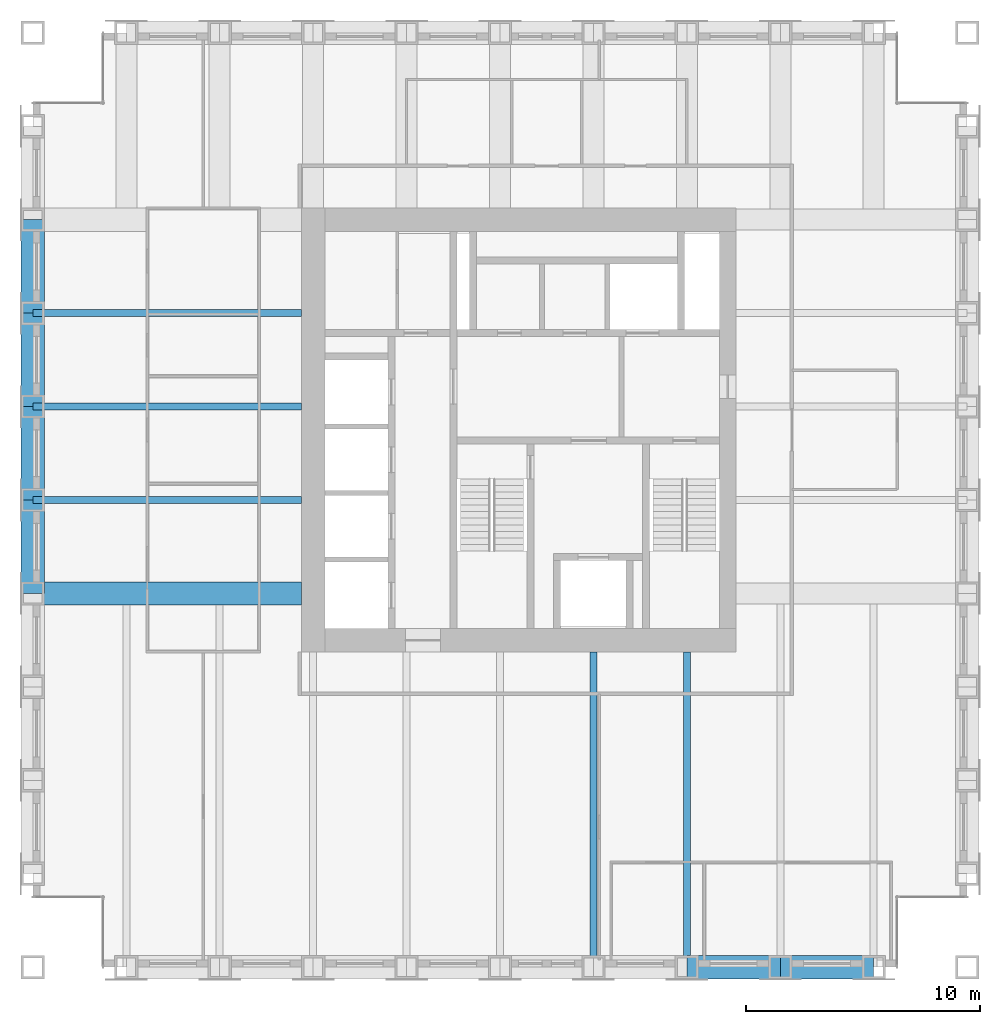
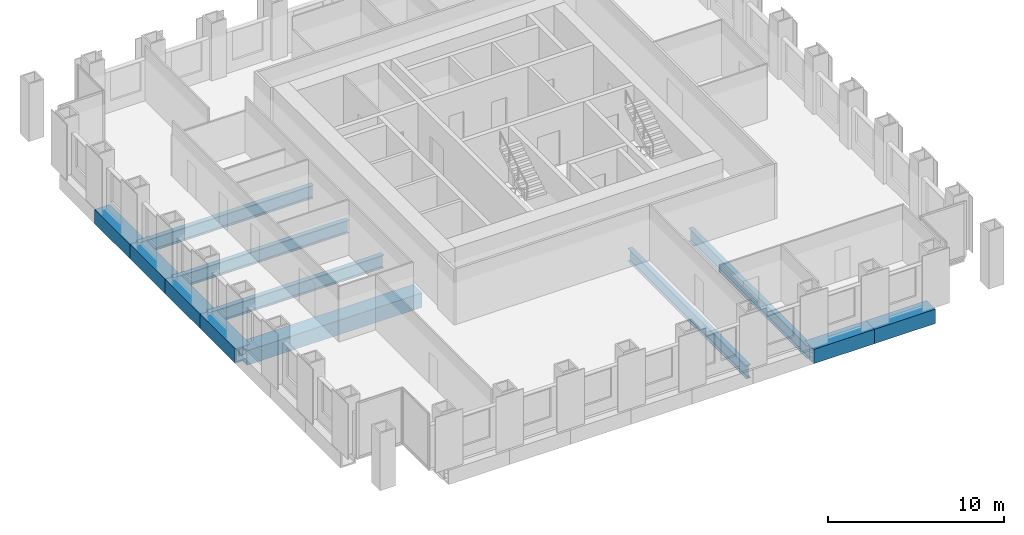
# One storey, part 3 of 11: 12 beams.
"""IFC4 building model written with IfcOpenShell, lengths in metres."""

import ifcopenshell
import ifcopenshell.guid

model = None  # the IFC model being written
_history = None  # IfcOwnerHistory: only IFC2X3 demands one
_inside = {}  # id of a spatial element -> (the spatial element, [elements in it])
_under = {}  # id of a project, library or spatial element -> (it, [spatial elements below it])
_declared = {}  # id of a project -> (the project, [libraries it declares])
_typed = {}  # id of a type object -> (the type object, [elements of that type])
_made_of = {}  # id of a material, layer set ... -> (it, [elements and type objects made of it])


def new_model(schema):
    """Start an empty IFC model of exactly this schema.

    Asked for "IFC4X3", IfcOpenShell would pick the latest addendum, in which some entities
    have other attributes; the version numbers below select the first issue.
    IFC2X3 requires an IfcOwnerHistory on every rooted entity: one is made here for all.
    """
    global model, _history
    if schema == "IFC4X3":
        model = ifcopenshell.file(schema_version=(4, 3, 0, 0))
    else:
        model = ifcopenshell.file(schema=schema)
    _inside.clear()
    _under.clear()
    _declared.clear()
    _typed.clear()
    _made_of.clear()
    _history = None
    if model.schema == "IFC2X3":
        org = make("IfcOrganization", Name="unknown")
        user = make(
            "IfcPersonAndOrganization",
            ThePerson=make("IfcPerson", FamilyName="unknown"),
            TheOrganization=org,
        )
        app = make(
            "IfcApplication",
            ApplicationDeveloper=org,
            Version="unknown",
            ApplicationFullName="unknown",
            ApplicationIdentifier="unknown",
        )
        _history = make(
            "IfcOwnerHistory",
            OwningUser=user,
            OwningApplication=app,
            ChangeAction="ADDED",
            CreationDate=0,
        )
    return model


def make(cls, **values):
    """One entity of the class cls with the attributes given. An attribute that is None is left unset."""
    return model.create_entity(
        cls, **{name: value for name, value in values.items() if value is not None}
    )


def rooted(cls, **values):
    """An entity with a GlobalId (a new one), such as an element, a storey or a relation."""
    return make(cls, GlobalId=ifcopenshell.guid.new(), OwnerHistory=_history, **values)


def si_unit(unit_type, name, prefix=None):
    """IfcSIUnit, for example si_unit("LENGTHUNIT", "METRE", prefix="MILLI")."""
    return make("IfcSIUnit", UnitType=unit_type, Prefix=prefix, Name=name)


def assignment(units):
    """IfcUnitAssignment: the units of a project."""
    return None if units is None else make("IfcUnitAssignment", Units=units)


def point(xyz):
    """IfcCartesianPoint."""
    return None if xyz is None else make("IfcCartesianPoint", Coordinates=xyz)


def direction(xyz):
    """IfcDirection."""
    return None if xyz is None else make("IfcDirection", DirectionRatios=xyz)


def frame(location, z_axis=None, x_axis=None):
    """IfcAxis2Placement3D, a coordinate frame: its origin and axes. An axis left out is left unset."""
    return make(
        "IfcAxis2Placement3D",
        Location=point(location),
        Axis=direction(z_axis),
        RefDirection=direction(x_axis),
    )


def frame_2d(location, x_axis=None):
    """IfcAxis2Placement2D, a coordinate frame in the plane: its origin and x axis."""
    return make(
        "IfcAxis2Placement2D", Location=point(location), RefDirection=direction(x_axis)
    )


def origin():
    """The frame at (0, 0, 0) with its axes left unset."""
    return frame((0.0, 0.0, 0.0))


def origin_2d():
    """The frame at (0, 0) in the plane with its x axis left unset."""
    return frame_2d((0.0, 0.0))


def place(relative_to, where):
    """IfcLocalPlacement: puts the frame where relative to a parent placement (None: the world)."""
    return make(
        "IfcLocalPlacement", PlacementRelTo=relative_to, RelativePlacement=where
    )


def context(
    kind, dimensions, precision=None, world=None, true_north=None, identifier=None
):
    """IfcGeometricRepresentationContext, for example the 3D "Model" context."""
    return make(
        "IfcGeometricRepresentationContext",
        ContextIdentifier=identifier,
        ContextType=kind,
        CoordinateSpaceDimension=dimensions,
        Precision=precision,
        WorldCoordinateSystem=world,
        TrueNorth=true_north,
    )


def subcontext(parent, identifier, kind, view, scale=None):
    """IfcGeometricRepresentationSubContext, for example "Body" below "Model"."""
    return make(
        "IfcGeometricRepresentationSubContext",
        ContextIdentifier=identifier,
        ContextType=kind,
        ParentContext=parent,
        TargetScale=scale,
        TargetView=view,
    )


def project(units=None, contexts=None):
    """IfcProject with its units and contexts."""
    return rooted(
        "IfcProject",
        Name="project",
        RepresentationContexts=contexts,
        UnitsInContext=assignment(units),
    )


def spatial(cls, under=None, at=None, **own):
    """A site, building, storey or space (cls), placed at a placement, below another one or the project."""
    s = rooted(cls, ObjectPlacement=at, **own)
    if under is not None:
        _under.setdefault(under.id(), (under, []))[1].append(s)
    return s


def profile(cls, at=None, kind="AREA", **sizes):
    """A parametric profile (cls). Its sizes go by their IFC names, for example OverallWidth=200.0."""
    return make(cls, ProfileType=kind, Position=at, **sizes)


def hollow_rectangle(**sizes):
    """IfcRectangleHollowProfileDef."""
    return profile("IfcRectangleHollowProfileDef", **sizes)


def i_section(**sizes):
    """IfcIShapeProfileDef."""
    return profile("IfcIShapeProfileDef", **sizes)


def extrude(swept, where, along, depth):
    """IfcExtrudedAreaSolid: the profile swept, set in the frame where, extruded along a direction by depth."""
    return make(
        "IfcExtrudedAreaSolid",
        SweptArea=swept,
        Position=where,
        ExtrudedDirection=direction(along),
        Depth=depth,
    )


def shape(context_of_items, identifier, shape_type, items):
    """IfcShapeRepresentation: the items that make up one representation, for example the "Body"."""
    return make(
        "IfcShapeRepresentation",
        ContextOfItems=context_of_items,
        RepresentationIdentifier=identifier,
        RepresentationType=shape_type,
        Items=items,
    )


def material(Name=None, Category=None):
    """IfcMaterial."""
    return make("IfcMaterial", Name=Name, Category=Category)


def material_profile(
    of_material, cross_section, Name=None, Category=None, Priority=None
):
    """IfcMaterialProfile: a cross section and its material."""
    return make(
        "IfcMaterialProfile",
        Name=Name,
        Material=of_material,
        Profile=cross_section,
        Priority=Priority,
        Category=Category,
    )


def profile_set(profiles, Name=None, composite=None):
    """IfcMaterialProfileSet."""
    return make(
        "IfcMaterialProfileSet",
        Name=Name,
        MaterialProfiles=profiles,
        CompositeProfile=composite,
    )


def made_of(thing, what):
    """Note that an element or type object is made of a material, layer set ...; save() writes the relation."""
    if what is not None:
        _made_of.setdefault(what.id(), (what, []))[1].append(thing)
    return thing


def type_object(cls, material=None, **own):
    """A type object (cls), such as IfcWallType, which elements share."""
    return made_of(rooted(cls, **own), material)


def element(
    cls,
    number,
    at=None,
    inside=None,
    cuts=None,
    type_object=None,
    material=None,
    context=None,
    identifier="Body",
    shape_type=None,
    held_by="IfcProductDefinitionShape",
    body=None,
    shapes=None,
    **own,
):
    """One element of the class cls, such as IfcWall. Its Tag is "e" and its number.

    at: its placement. inside: the storey or other place that contains it. cuts: it is an
    opening in that element (IfcRelVoidsElement). A single representation is given by context,
    identifier, shape_type and body (its items); several are given by shapes. held_by: the class
    of the entity that holds the representations. save() writes the other relations.
    """
    e = rooted(cls, Tag="e%d" % number, ObjectPlacement=at, **own)
    if body is not None:
        shapes = [shape(context, identifier, shape_type, body)]
    if shapes is not None:
        e.Representation = make(held_by, Representations=shapes)
    if inside is not None:
        _inside.setdefault(inside.id(), (inside, []))[1].append(e)
    if cuts is not None:
        rooted(
            "IfcRelVoidsElement", RelatingBuildingElement=cuts, RelatedOpeningElement=e
        )
    if type_object is not None:
        _typed.setdefault(type_object.id(), (type_object, []))[1].append(e)
    return made_of(e, material)


def aggregate(whole, parts):
    """IfcRelAggregates: a whole, such as a stair, and the parts it consists of."""
    return rooted("IfcRelAggregates", RelatingObject=whole, RelatedObjects=parts)


def save(model, path):
    """Write the relations noted so far, then the file.

    IfcRelAggregates (storeys below a building ...), IfcRelContainedInSpatialStructure (elements
    in a storey), IfcRelDefinesByType, IfcRelAssociatesMaterial and IfcRelDeclares: one each for
    every whole, place, type object, material and project.
    """
    for whole, parts in _under.values():
        aggregate(whole, parts)
    for where, things in _inside.values():
        rooted(
            "IfcRelContainedInSpatialStructure",
            RelatedElements=things,
            RelatingStructure=where,
        )
    for kind, things in _typed.values():
        rooted("IfcRelDefinesByType", RelatedObjects=things, RelatingType=kind)
    for what, things in _made_of.values():
        rooted("IfcRelAssociatesMaterial", RelatedObjects=things, RelatingMaterial=what)
    for by, libraries in _declared.values():
        rooted("IfcRelDeclares", RelatingContext=by, RelatedDefinitions=libraries)
    model.write(path)


model = new_model("IFC4")

# Units and contexts
model_context = context("Model", 3, precision=1e-05, world=origin(), true_north=direction((0.0, 1.0)))
body_context = subcontext(model_context, "Body", "Model", "MODEL_VIEW")
ifc_project = project(units=[si_unit("LENGTHUNIT", "METRE"), si_unit("AREAUNIT", "SQUARE_METRE"), si_unit("VOLUMEUNIT", "CUBIC_METRE"), si_unit("PLANEANGLEUNIT", "RADIAN"), si_unit("MASSUNIT", "GRAM", prefix="KILO")], contexts=[model_context])

# Site, building, storey
site_placement = place(None, origin())
site = spatial("IfcSite", under=ifc_project, at=site_placement, CompositionType="ELEMENT")
building_placement = place(site_placement, origin())
building = spatial("IfcBuilding", under=site, at=building_placement, Name="Rimbunsela Tower", CompositionType="ELEMENT")
storey_placement = place(building_placement, frame((0.0, 0.0, 282.199951171875)))
storey = spatial("IfcBuildingStorey", under=building, at=storey_placement, Name="L68", CompositionType="ELEMENT", Elevation=282.199951171875)

# Beams
ifc_material_1 = material(Name="Steel BJ 55 (fy 410 MPa)", Category="steel")
ifc_material_profile_1 = material_profile(ifc_material_1, hollow_rectangle(XDim=1.0, YDim=1.0, WallThickness=0.10009765625, at=origin_2d()), Name="BOX 1000x1000x100")
ifc_profile_set_1 = profile_set([ifc_material_profile_1], Name="Steel BJ 55 (fy 410 MPa)")
beam_type_1 = type_object("IfcBeamType", Name="Beam BOX 1000x1000x100", PredefinedType="BEAM", material=ifc_profile_set_1)
beam_1_placement = place(storey_placement, frame((6.0, 20.0, -0.64990234375), z_axis=(0.0, 1.0, 0.0), x_axis=(-1.0, 0.0, 0.0)))
element("IfcBeam", 1, at=beam_1_placement, inside=storey, type_object=beam_type_1, Name="Beam B3 L68", PredefinedType="BEAM", context=body_context, shape_type="SweptSolid", body=[
    extrude(hollow_rectangle(XDim=1.0, YDim=1.0, WallThickness=0.10009765625, at=origin_2d()), origin(), (0.0, 0.0, 1.0), 4.0),
])
beam_2_placement = place(storey_placement, frame((6.0, 20.0, -0.64990234375), z_axis=(1.0, 0.0, 0.0), x_axis=(0.0, 1.0, 0.0)))
element("IfcBeam", 2, at=beam_2_placement, inside=storey, type_object=beam_type_1, Name="Beam B3 L68", PredefinedType="BEAM", context=body_context, shape_type="SweptSolid", body=[
    extrude(hollow_rectangle(XDim=1.0, YDim=1.0, WallThickness=0.10009765625, at=origin_2d()), origin(), (0.0, 0.0, 1.0), 11.5),
])
for number, where, z_axis, x_axis, name in (
    (3, (6.0, 24.0, -0.64990234375), (0.0, 1.0, 0.0), (-1.0, 0.0, 0.0), "Beam B3 L68"),
    (4, (6.0, 28.0, -0.64990234375), (0.0, 1.0, 0.0), (-1.0, 0.0, 0.0), "Beam B3 L68"),
    (5, (6.0, 32.0, -0.64990234375), (0.0, 1.0, 0.0), (-1.0, 0.0, 0.0), "Beam B3 L68"),
    (6, (34.0, 4.0, -0.64990234375), (1.0, 0.0, 0.0), (0.0, 1.0, 0.0), "Beam B3 L68"),
    (7, (38.0, 4.0, -0.64990234375), (1.0, 0.0, 0.0), (0.0, 1.0, 0.0), "Beam B3 L68"),
):
    element("IfcBeam", number, at=place(storey_placement, frame(where, z_axis=z_axis, x_axis=x_axis)), inside=storey, type_object=beam_type_1, Name=name, PredefinedType="BEAM", context=body_context, shape_type="SweptSolid", body=[
        extrude(hollow_rectangle(XDim=1.0, YDim=1.0, WallThickness=0.10009765625, at=origin_2d()), origin(), (0.0, 0.0, 1.0), 4.0),
    ])
ifc_material_2 = material(Name="Steel BJ 55 (fy 410 MPa)", Category="steel")
ifc_material_profile_2 = material_profile(ifc_material_2, i_section(OverallWidth=0.300048828125, OverallDepth=0.89990234375, WebThickness=0.01611328125, FlangeThickness=0.028076171875, FilletRadius=0.028076171875, at=origin_2d()), Name="H 900x300x16x28")
ifc_profile_set_2 = profile_set([ifc_material_profile_2], Name="Steel BJ 55 (fy 410 MPa)")
beam_type_2 = type_object("IfcBeamType", Name="Beam H 900x300x16x28", PredefinedType="BEAM", material=ifc_profile_set_2)
for number, where, z_axis, x_axis, name in (
    (8, (6.0, 24.0, -0.599853515625), (1.0, 0.0, 0.0), (0.0, 1.0, 0.0), "Beam B2 L68"),
    (9, (6.0, 28.0, -0.599853515625), (1.0, 0.0, 0.0), (0.0, 1.0, 0.0), "Beam B2 L68"),
    (10, (6.0, 32.0, -0.599853515625), (1.0, 0.0, 0.0), (0.0, 1.0, 0.0), "Beam B2 L68"),
):
    element("IfcBeam", number, at=place(storey_placement, frame(where, z_axis=z_axis, x_axis=x_axis)), inside=storey, type_object=beam_type_2, Name=name, PredefinedType="BEAM", context=body_context, shape_type="SweptSolid", body=[
        extrude(i_section(OverallWidth=0.300048828125, OverallDepth=0.89990234375, WebThickness=0.01611328125, FlangeThickness=0.028076171875, FilletRadius=0.028076171875, at=origin_2d()), origin(), (0.0, 0.0, 1.0), 11.5),
    ])
for number, where, z_axis, x_axis, name in (
    (11, (30.0, 4.0, -0.599853515625), (0.0, 1.0, 0.0), (-1.0, 0.0, 0.0), "Beam B2 L68"),
    (12, (34.0, 4.0, -0.599853515625), (0.0, 1.0, 0.0), (-1.0, 0.0, 0.0), "Beam B2 L68"),
):
    element("IfcBeam", number, at=place(storey_placement, frame(where, z_axis=z_axis, x_axis=x_axis)), inside=storey, type_object=beam_type_2, Name=name, PredefinedType="BEAM", context=body_context, shape_type="SweptSolid", body=[
        extrude(i_section(OverallWidth=0.300048828125, OverallDepth=0.89990234375, WebThickness=0.01611328125, FlangeThickness=0.028076171875, FilletRadius=0.028076171875, at=origin_2d()), origin(), (0.0, 0.0, 1.0), 13.5),
    ])

save(model, "model.ifc")
